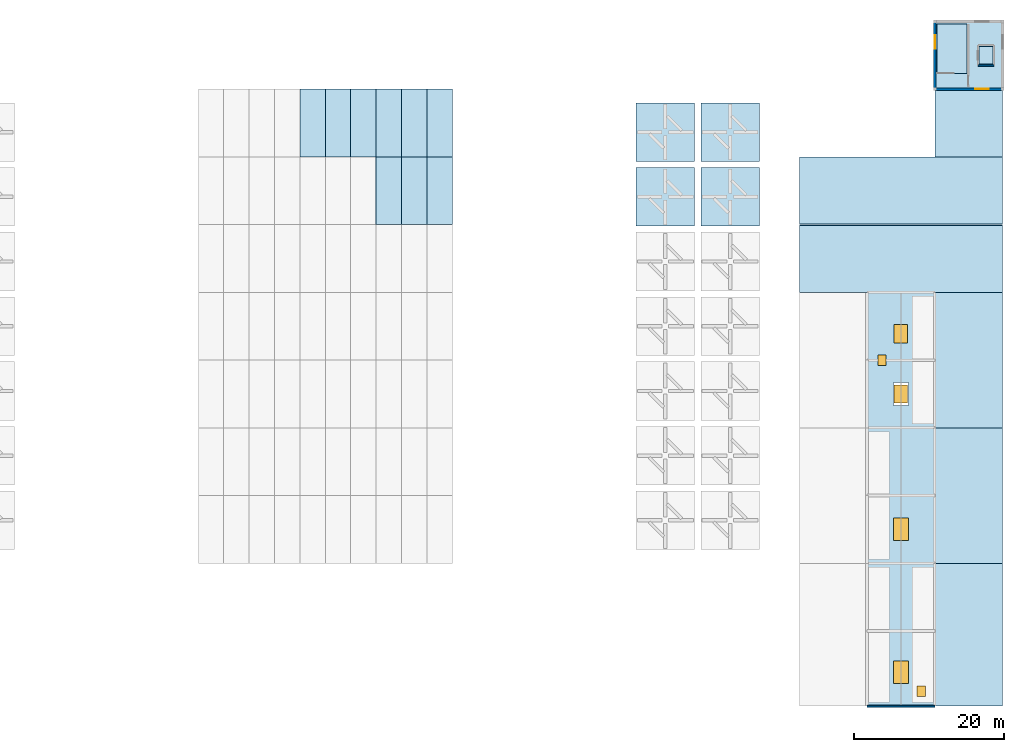
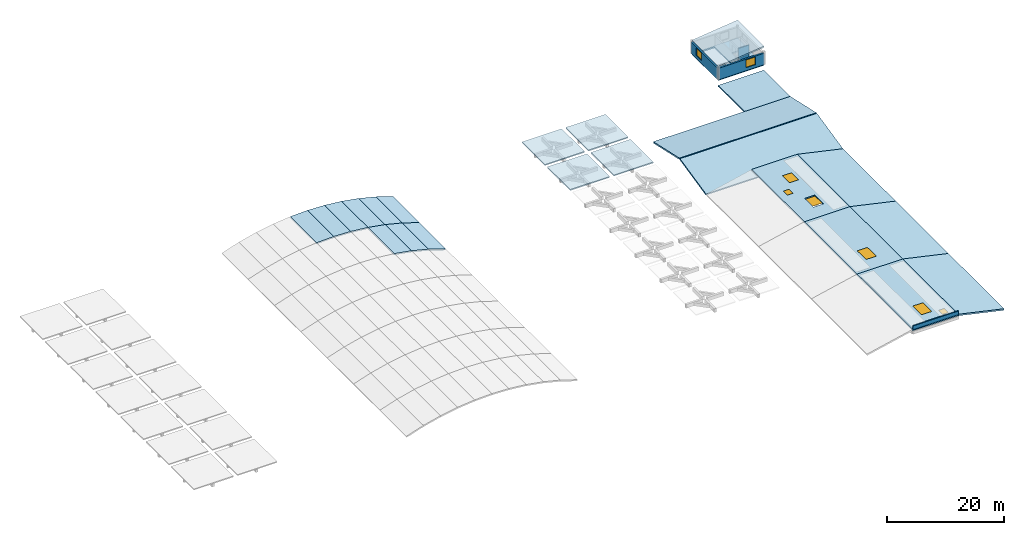
# One storey, part 5 of 7: 24 slabs, 6 windows, 4 walls, 2 doors, 8 openings.
"""IFC4 building model written with IfcOpenShell, lengths in metres."""

from ifc_helpers import new_model, si_unit, direction, frame, frame_2d, origin, origin_2d, place, context, subcontext, project, spatial, polyline, rectangle, outline, extrude, material, layer, layer_set, type_object, element, fill, save


model = new_model("IFC4")

# Units and contexts
model_context = context("Model", 3, precision=1e-05, world=origin(), true_north=direction((0.0, 1.0)))
body_context = subcontext(model_context, "Body", "Model", "MODEL_VIEW")
ifc_project = project(units=[si_unit("LENGTHUNIT", "METRE"), si_unit("AREAUNIT", "SQUARE_METRE"), si_unit("VOLUMEUNIT", "CUBIC_METRE"), si_unit("PLANEANGLEUNIT", "RADIAN"), si_unit("MASSUNIT", "GRAM", prefix="KILO")], contexts=[model_context])

# Site, building, storey
site_placement = place(None, origin())
site = spatial("IfcSite", under=ifc_project, at=site_placement, CompositionType="ELEMENT")
building_placement = place(site_placement, origin())
building = spatial("IfcBuilding", under=site, at=building_placement, Name="Ornek Quay Market", CompositionType="ELEMENT")
storey_placement = place(building_placement, frame((0.0, 0.0, 16.64990234375)))
storey = spatial("IfcBuildingStorey", under=building, at=storey_placement, Name="ROOF", CompositionType="ELEMENT", Elevation=16.64990234375)

# Slab
ifc_material_1 = material(Name="Concrete C35/45", Category="concrete")
ifc_layer_1 = layer(ifc_material_1, 0.280029296875, Name="Concrete C35/45", Category="concrete")
ifc_layer_set_1 = layer_set([ifc_layer_1], Name="Concrete C35/45")
slab_type_1 = type_object("IfcSlabType", Name="SL-FLR-WING-280", PredefinedType="FLOOR", material=ifc_layer_set_1)
slab_1_placement = place(storey_placement, frame((0.0, 0.0, -0.27978515625)))
element("IfcSlab", 1, at=slab_1_placement, inside=storey, type_object=slab_type_1, Name="Slab S-070 (ROOF)", PredefinedType="FLOOR", context=body_context, shape_type="SweptSolid", body=[
    extrude(outline(polyline([(171.0, 92.0), (180.0, 92.0), (180.0, 101.0), (171.0, 101.0), (171.0, 92.0)]), holes=[polyline([(178.719970703125, 97.669921875), (178.719970703125, 95.330078125), (176.8798828125, 95.330078125), (176.8798828125, 97.669921875), (178.719970703125, 97.669921875)]), polyline([(175.300048828125, 100.699951171875), (175.300048828125, 94.10009765625), (171.300048828125, 94.10009765625), (171.300048828125, 100.699951171875), (175.300048828125, 100.699951171875)])]), origin(), (0.0, 0.0, 1.0), 0.27978515625),
])

# Slab, openings, door, window
ifc_layer_2 = layer(ifc_material_1, 0.320068359375, Name="Concrete C35/45", Category="concrete")
ifc_layer_set_2 = layer_set([ifc_layer_2], Name="Concrete C35/45")
slab_type_2 = type_object("IfcSlabType", Name="SL-RF-CS-320", PredefinedType="ROOF", material=ifc_layer_set_2)
slab_2_placement = place(storey_placement, frame((0.0, 0.0, 0.43017578125)))
slab_2 = element("IfcSlab", 2, at=slab_2_placement, inside=storey, type_object=slab_type_2, Name="Slab S-073 (ROOF)", PredefinedType="ROOF", context=body_context, shape_type="SweptSolid", body=[
    extrude(outline(polyline([(162.0, 10.0), (171.0, 10.0), (171.0, 29.0), (162.0, 29.0), (162.0, 10.0)]), holes=[polyline([(165.5, 16.0), (167.5, 16.0), (167.5, 13.0), (165.5, 13.0), (165.5, 16.0)]), polyline([(168.64990234375, 11.300048828125), (169.75, 11.300048828125), (169.75, 12.699951171875), (168.64990234375, 12.699951171875), (168.64990234375, 11.300048828125)])]), origin(), (0.0, 0.0, 1.0), 0.31982421875),
])
opening_1_placement = place(slab_2_placement, frame((166.5, 14.5, -0.010009765625)))
opening_1 = element("IfcOpeningElement", 3, at=opening_1_placement, cuts=slab_2, Name="Opening SK-02-09", PredefinedType="OPENING", context=body_context, shape_type="SweptSolid", body=[
    extrude(rectangle(XDim=2.0, YDim=3.0, at=origin_2d()), origin(), (0.0, 0.0, 1.0), 0.33984375),
])
opening_2_placement = place(slab_2_placement, frame((169.199951171875, 12.0, -0.010009765625)))
opening_2 = element("IfcOpeningElement", 4, at=opening_2_placement, cuts=slab_2, Name="Opening RH-06", PredefinedType="OPENING", context=body_context, shape_type="SweptSolid", body=[
    extrude(rectangle(XDim=1.10009765625, YDim=1.39990234375, at=origin_2d()), origin(), (0.0, 0.0, 1.0), 0.33984375),
])
ifc_material_2 = material(Name="Thermally broken aluminium roof access hatch", Category="aluminium")
door_type = type_object("IfcDoorType", Name="DR-HATCH-ROOF-1100x1400", OperationType="SINGLE_SWING_LEFT", PredefinedType="TRAPDOOR", material=ifc_material_2)
door_1_placement = place(opening_2_placement, frame((0.0, 0.0, 0.27978515625)))
door_1 = element("IfcDoor", 5, at=door_1_placement, inside=storey, type_object=door_type, Name="Roof access hatch RH-06", OperationType="SINGLE_SWING_LEFT", OverallHeight=1.39990234375, OverallWidth=1.10009765625, PredefinedType="TRAPDOOR", context=body_context, shape_type="SweptSolid", body=[
    extrude(rectangle(XDim=1.10009765625, YDim=1.39990234375, at=origin_2d()), origin(), (0.0, 0.0, 1.0), 0.050048828125),
])
fill(opening_2, door_1)
ifc_material_3 = material(Name="Thermally broken bronze aluminium and triple low-e glass", Category="aluminium")
window_type_1 = type_object("IfcWindowType", Name="WN-SKY-2000x3000", PartitioningType="SINGLE_PANEL", PredefinedType="SKYLIGHT", material=ifc_material_3)
window_1_placement = place(opening_1_placement, frame((0.0, 0.0, 0.27978515625)))
window_1 = element("IfcWindow", 6, at=window_1_placement, inside=storey, type_object=window_type_1, Name="Roof skylight SK-02-09", OverallHeight=3.0, OverallWidth=2.0, PartitioningType="SINGLE_PANEL", PredefinedType="SKYLIGHT", context=body_context, shape_type="SweptSolid", body=[
    extrude(rectangle(XDim=2.0, YDim=3.0, at=origin_2d()), origin(), (0.0, 0.0, 1.0), 0.050048828125),
])
fill(opening_1, window_1)

# Slab
slab_3_placement = place(storey_placement, frame((171.0, 10.0, 0.75), z_axis=(0.216930457819, 0.0, 0.976187060184), x_axis=(0.976187060184, 0.0, -0.216930457819)))
element("IfcSlab", 7, at=slab_3_placement, inside=storey, type_object=slab_type_2, Name="Sloped roof slab S-074 (ROOF)", PredefinedType="ROOF", context=body_context, shape_type="SweptSolid", body=[
    extrude(outline(polyline([(0.0, 0.0), (9.219544457292889, 0.0), (9.219544457292889, 19.0), (0.0, 19.0), (0.0, 0.0)])), origin(), (0.0, 0.0, -1.0), 0.320068359375),
])

# Slab, opening, window
slab_4_placement = place(storey_placement, frame((0.0, 0.0, 0.43017578125)))
slab_4 = element("IfcSlab", 8, at=slab_4_placement, inside=storey, type_object=slab_type_2, Name="Slab S-076 (ROOF)", PredefinedType="ROOF", context=body_context, shape_type="SweptSolid", body=[
    extrude(outline(polyline([(162.0, 29.0), (171.0, 29.0), (171.0, 47.0), (162.0, 47.0), (162.0, 29.0)]), holes=[polyline([(165.5, 35.0), (167.5, 35.0), (167.5, 32.0), (165.5, 32.0), (165.5, 35.0)])]), origin(), (0.0, 0.0, 1.0), 0.31982421875),
])
opening_3_placement = place(slab_4_placement, frame((166.5, 33.5, -0.010009765625)))
opening_3 = element("IfcOpeningElement", 9, at=opening_3_placement, cuts=slab_4, Name="Opening SK-02-10", PredefinedType="OPENING", context=body_context, shape_type="SweptSolid", body=[
    extrude(rectangle(XDim=2.0, YDim=3.0, at=origin_2d()), origin(), (0.0, 0.0, 1.0), 0.33984375),
])
window_2_placement = place(opening_3_placement, frame((0.0, 0.0, 0.27978515625)))
window_2 = element("IfcWindow", 10, at=window_2_placement, inside=storey, type_object=window_type_1, Name="Roof skylight SK-02-10", OverallHeight=3.0, OverallWidth=2.0, PartitioningType="SINGLE_PANEL", PredefinedType="SKYLIGHT", context=body_context, shape_type="SweptSolid", body=[
    extrude(rectangle(XDim=2.0, YDim=3.0, at=origin_2d()), origin(), (0.0, 0.0, 1.0), 0.050048828125),
])
fill(opening_3, window_2)

# Slab
slab_5_placement = place(storey_placement, frame((171.0, 29.0, 0.75), z_axis=(0.216930457819, 0.0, 0.976187060184), x_axis=(0.976187060184, 0.0, -0.216930457819)))
element("IfcSlab", 11, at=slab_5_placement, inside=storey, type_object=slab_type_2, Name="Sloped roof slab S-077 (ROOF)", PredefinedType="ROOF", context=body_context, shape_type="SweptSolid", body=[
    extrude(outline(polyline([(0.0, 0.0), (9.219544457292889, 0.0), (9.219544457292889, 18.000000000000004), (0.0, 18.000000000000004), (0.0, 0.0)])), origin(), (0.0, 0.0, -1.0), 0.320068359375),
])

# Slab, openings, door, windows
slab_6_placement = place(storey_placement, frame((0.0, 0.0, 0.43017578125)))
slab_6 = element("IfcSlab", 12, at=slab_6_placement, inside=storey, type_object=slab_type_2, Name="Slab S-079 (ROOF)", PredefinedType="ROOF", context=body_context, shape_type="SweptSolid", body=[
    extrude(outline(polyline([(162.0, 47.0), (171.0, 47.0), (171.0, 65.0), (162.0, 65.0), (162.0, 47.0)]), holes=[polyline([(165.5, 53.0), (167.5, 53.0), (167.5, 50.0), (165.5, 50.0), (165.5, 53.0)]), polyline([(165.60009765625, 58.300048828125), (167.39990234375, 58.300048828125), (167.39990234375, 60.699951171875), (165.60009765625, 60.699951171875), (165.60009765625, 58.300048828125)]), polyline([(163.449951171875, 55.300048828125), (164.550048828125, 55.300048828125), (164.550048828125, 56.699951171875), (163.449951171875, 56.699951171875), (163.449951171875, 55.300048828125)])]), origin(), (0.0, 0.0, 1.0), 0.31982421875),
])
opening_4_placement = place(slab_6_placement, frame((166.5, 51.5, -0.010009765625)))
opening_4 = element("IfcOpeningElement", 13, at=opening_4_placement, cuts=slab_6, Name="Opening SK-03-11", PredefinedType="OPENING", context=body_context, shape_type="SweptSolid", body=[
    extrude(rectangle(XDim=1.800048828125, YDim=2.39990234375, at=origin_2d()), origin(), (0.0, 0.0, 1.0), 0.33984375),
])
opening_5_placement = place(slab_6_placement, frame((166.5, 59.5, -0.010009765625)))
opening_5 = element("IfcOpeningElement", 14, at=opening_5_placement, cuts=slab_6, Name="Opening SK-03-12", PredefinedType="OPENING", context=body_context, shape_type="SweptSolid", body=[
    extrude(rectangle(XDim=1.800048828125, YDim=2.39990234375, at=origin_2d()), origin(), (0.0, 0.0, 1.0), 0.33984375),
])
opening_6_placement = place(slab_6_placement, frame((164.0, 56.0, -0.010009765625)))
opening_6 = element("IfcOpeningElement", 15, at=opening_6_placement, cuts=slab_6, Name="Opening RH-05", PredefinedType="OPENING", context=body_context, shape_type="SweptSolid", body=[
    extrude(rectangle(XDim=1.10009765625, YDim=1.39990234375, at=origin_2d()), origin(), (0.0, 0.0, 1.0), 0.33984375),
])
door_2_placement = place(opening_6_placement, frame((0.0, 0.0, 0.27978515625)))
door_2 = element("IfcDoor", 16, at=door_2_placement, inside=storey, type_object=door_type, Name="Roof access hatch RH-05", OperationType="SINGLE_SWING_LEFT", OverallHeight=1.39990234375, OverallWidth=1.10009765625, PredefinedType="TRAPDOOR", context=body_context, shape_type="SweptSolid", body=[
    extrude(rectangle(XDim=1.10009765625, YDim=1.39990234375, at=origin_2d()), origin(), (0.0, 0.0, 1.0), 0.050048828125),
])
fill(opening_6, door_2)
window_type_2 = type_object("IfcWindowType", Name="WN-SKY-1800x2400", PartitioningType="SINGLE_PANEL", PredefinedType="SKYLIGHT", material=ifc_material_3)
window_3_placement = place(opening_4_placement, frame((0.0, 0.0, 0.27978515625)))
window_3 = element("IfcWindow", 17, at=window_3_placement, inside=storey, type_object=window_type_2, Name="Roof skylight SK-03-11", OverallHeight=2.39990234375, OverallWidth=1.800048828125, PartitioningType="SINGLE_PANEL", PredefinedType="SKYLIGHT", context=body_context, shape_type="SweptSolid", body=[
    extrude(rectangle(XDim=1.800048828125, YDim=2.39990234375, at=origin_2d()), origin(), (0.0, 0.0, 1.0), 0.050048828125),
])
fill(opening_4, window_3)
window_4_placement = place(opening_5_placement, frame((0.0, 0.0, 0.27978515625)))
window_4 = element("IfcWindow", 18, at=window_4_placement, inside=storey, type_object=window_type_2, Name="Roof skylight SK-03-12", OverallHeight=2.39990234375, OverallWidth=1.800048828125, PartitioningType="SINGLE_PANEL", PredefinedType="SKYLIGHT", context=body_context, shape_type="SweptSolid", body=[
    extrude(rectangle(XDim=1.800048828125, YDim=2.39990234375, at=origin_2d()), origin(), (0.0, 0.0, 1.0), 0.050048828125),
])
fill(opening_5, window_4)

# Slabs
slab_7_placement = place(storey_placement, frame((171.0, 47.0, 0.75), z_axis=(0.216930457819, 0.0, 0.976187060184), x_axis=(0.976187060184, 0.0, -0.216930457819)))
element("IfcSlab", 19, at=slab_7_placement, inside=storey, type_object=slab_type_2, Name="Sloped roof slab S-080 (ROOF)", PredefinedType="ROOF", context=body_context, shape_type="SweptSolid", body=[
    extrude(outline(polyline([(0.0, 0.0), (9.219544457292889, 0.0), (9.219544457292889, 18.000000000000004), (0.0, 18.000000000000004), (0.0, 0.0)])), origin(), (0.0, 0.0, -1.0), 0.320068359375),
])
ifc_layer_3 = layer(ifc_material_1, 0.300048828125, Name="Concrete C35/45", Category="concrete")
ifc_layer_set_3 = layer_set([ifc_layer_3], Name="Concrete C35/45")
slab_type_3 = type_object("IfcSlabType", Name="SL-RF-FC-300", PredefinedType="ROOF", material=ifc_layer_set_3)
slab_8_placement = place(storey_placement, frame((0.0, 0.0, -1.5498046875)))
element("IfcSlab", 20, at=slab_8_placement, inside=storey, type_object=slab_type_3, Name="Slab S-065 (ROOF)", PredefinedType="ROOF", context=body_context, shape_type="SweptSolid", body=[
    extrude(outline(polyline([(171.0, 83.0), (180.0, 83.0), (180.0, 92.0), (171.0, 92.0), (171.0, 83.0)])), origin(), (0.0, 0.0, 1.0), 0.2998046875),
])
for number, where, z_axis, x_axis, name in (
    (21, (153.0, 65.0, -1.25), (0.0, -0.217162940606, 0.97613536829), (1.0, 0.0, 0.0), "Sloped roof slab S-068 (ROOF)"),
    (22, (153.0, 74.10009765625, 0.72998046875), (0.0, 0.217162940606, 0.97613536829), (1.0, 0.0, 0.0), "Sloped roof slab S-069 (ROOF)"),
):
    element("IfcSlab", number, at=place(storey_placement, frame(where, z_axis=z_axis, x_axis=x_axis)), inside=storey, type_object=slab_type_3, Name=name, PredefinedType="ROOF", context=body_context, shape_type="SweptSolid", body=[
        extrude(outline(polyline([(0.0, 0.0), (27.0, 0.0), (27.0, 9.117487833000833), (0.0, 9.117487833000833), (0.0, 0.0)])), origin(), (0.0, 0.0, -1.0), 0.300048828125),
    ])
slab_9_placement = place(storey_placement, frame((171.0, 92.0, 2.7001953125), z_axis=(-0.115859433741, 0.0, 0.993265619869), x_axis=(0.993265619869, 0.0, 0.115859433741)))
element("IfcSlab", 23, at=slab_9_placement, inside=storey, type_object=slab_type_3, Name="Sloped roof slab S-071 (ROOF)", PredefinedType="ROOF", context=body_context, shape_type="SweptSolid", body=[
    extrude(outline(polyline([(0.0, 0.0), (9.06102035545098, 0.0), (9.06102035545098, 9.000000000000002), (0.0, 9.000000000000002), (0.0, 0.0)])), origin(), (0.0, 0.0, -1.0), 0.300048828125),
])
ifc_material_4 = material(Name="Concrete C40/50", Category="concrete")
ifc_layer_4 = layer(ifc_material_4, 0.219970703125, Name="Concrete C40/50", Category="concrete")
ifc_layer_set_4 = layer_set([ifc_layer_4], Name="Concrete C40/50")
slab_type_4 = type_object("IfcSlabType", Name="SL-UMB-CANOPY-220", PredefinedType="ROOF", material=ifc_layer_set_4)
slab_10_placement = place(storey_placement, frame((0.0, 0.0, 1.72998046875)))
element("IfcSlab", 24, at=slab_10_placement, inside=storey, type_object=slab_type_4, Name="Concrete umbrella canopy UMB-E06", PredefinedType="ROOF", context=body_context, shape_type="SweptSolid", body=[
    extrude(outline(polyline([(131.300048828125, 73.800048828125), (139.10009765625, 73.800048828125), (139.10009765625, 81.60009765625), (131.300048828125, 81.60009765625), (131.300048828125, 73.800048828125)])), origin(), (0.0, 0.0, 1.0), 0.22021484375),
])
slab_11_placement = place(storey_placement, frame((0.0, 0.0, 1.72998046875)))
element("IfcSlab", 25, at=slab_11_placement, inside=storey, type_object=slab_type_4, Name="Concrete umbrella canopy UMB-E07", PredefinedType="ROOF", context=body_context, shape_type="SweptSolid", body=[
    extrude(outline(polyline([(131.300048828125, 82.39990234375), (139.10009765625, 82.39990234375), (139.10009765625, 90.199951171875), (131.300048828125, 90.199951171875), (131.300048828125, 82.39990234375)])), origin(), (0.0, 0.0, 1.0), 0.22021484375),
])
slab_12_placement = place(storey_placement, frame((0.0, 0.0, 1.72998046875)))
element("IfcSlab", 26, at=slab_12_placement, inside=storey, type_object=slab_type_4, Name="Concrete umbrella canopy UMB-E13", PredefinedType="ROOF", context=body_context, shape_type="SweptSolid", body=[
    extrude(outline(polyline([(139.89990234375, 73.800048828125), (147.699951171875, 73.800048828125), (147.699951171875, 81.60009765625), (139.89990234375, 81.60009765625), (139.89990234375, 73.800048828125)])), origin(), (0.0, 0.0, 1.0), 0.22021484375),
])
slab_13_placement = place(storey_placement, frame((0.0, 0.0, 1.72998046875)))
element("IfcSlab", 27, at=slab_13_placement, inside=storey, type_object=slab_type_4, Name="Concrete umbrella canopy UMB-E14", PredefinedType="ROOF", context=body_context, shape_type="SweptSolid", body=[
    extrude(outline(polyline([(139.89990234375, 82.39990234375), (147.699951171875, 82.39990234375), (147.699951171875, 90.199951171875), (139.89990234375, 90.199951171875), (139.89990234375, 82.39990234375)])), origin(), (0.0, 0.0, 1.0), 0.22021484375),
])
ifc_material_5 = material(Name="Concrete C45/55", Category="concrete")
ifc_layer_5 = layer(ifc_material_5, 0.2900390625, Name="Concrete C45/55", Category="concrete")
ifc_layer_set_5 = layer_set([ifc_layer_5], Name="Concrete C45/55")
slab_type_5 = type_object("IfcSlabType", Name="SL-VLT-SHELL-290", PredefinedType="ROOF", material=ifc_layer_set_5)
slab_14_placement = place(storey_placement, frame((96.75, 74.0, 0.573486328125), z_axis=(0.172159077901, 0.0, 0.985069160971), x_axis=(0.985069160971, 0.0, -0.172159077901)))
element("IfcSlab", 28, at=slab_14_placement, inside=storey, type_object=slab_type_5, Name="Sloped roof slab S-171 (ROOF)", PredefinedType="ROOF", context=body_context, shape_type="SweptSolid", body=[
    extrude(outline(polyline([(0.0, 0.0), (3.4261553743830806, 0.0), (3.4261553743830806, 9.0), (0.0, 9.0), (0.0, 0.0)])), origin(), (0.0, 0.0, -1.0), 0.2900390625),
])
slab_15_placement = place(storey_placement, frame((100.125, 74.0, -0.016357421875), z_axis=(0.240949455139, 0.0, 0.970537665456), x_axis=(0.970537665456, 0.0, -0.240949455139)))
element("IfcSlab", 29, at=slab_15_placement, inside=storey, type_object=slab_type_5, Name="Sloped roof slab S-172 (ROOF)", PredefinedType="ROOF", context=body_context, shape_type="SweptSolid", body=[
    extrude(outline(polyline([(0.0, 0.0), (3.4774539104728466, 0.0), (3.4774539104728466, 9.000000000000002), (0.0, 9.000000000000002), (0.0, 0.0)])), origin(), (0.0, 0.0, -1.0), 0.2900390625),
])
slab_16_placement = place(storey_placement, frame((103.5, 74.0, -0.854248046875), z_axis=(0.309844903611, 0.0, 0.950787113767), x_axis=(0.950787113767, 0.0, -0.309844903611)))
element("IfcSlab", 30, at=slab_16_placement, inside=storey, type_object=slab_type_5, Name="Sloped roof slab S-173 (ROOF)", PredefinedType="ROOF", context=body_context, shape_type="SweptSolid", body=[
    extrude(outline(polyline([(0.0, 0.0), (3.5496905155002842, 0.0), (3.5496905155002842, 9.000000000000002), (0.0, 9.000000000000002), (0.0, 0.0)])), origin(), (0.0, 0.0, -1.0), 0.2900390625),
])
for number, where, z_axis, x_axis, name in (
    (31, (86.625, 83.0, 0.923828125), (-0.034412476309, 0.0, 0.999407715337), (0.999407715337, 0.0, 0.034412476309), "Sloped roof slab S-184 (ROOF)"),
    (32, (90.0, 83.0, 1.0400390625), (0.034412476309, 0.0, 0.999407715337), (0.999407715337, 0.0, -0.034412476309), "Sloped roof slab S-185 (ROOF)"),
):
    element("IfcSlab", number, at=place(storey_placement, frame(where, z_axis=z_axis, x_axis=x_axis)), inside=storey, type_object=slab_type_5, Name=name, PredefinedType="ROOF", context=body_context, shape_type="SweptSolid", body=[
        extrude(outline(polyline([(0.0, 0.0), (3.377000145394523, 0.0), (3.377000145394523, 9.0), (0.0, 9.0), (0.0, 0.0)])), origin(), (0.0, 0.0, -1.0), 0.2900390625),
    ])
slab_17_placement = place(storey_placement, frame((93.375, 83.0, 0.923828125), z_axis=(0.103250182601, 0.0, 0.994655417616), x_axis=(0.994655417616, 0.0, -0.103250182601)))
element("IfcSlab", 33, at=slab_17_placement, inside=storey, type_object=slab_type_5, Name="Sloped roof slab S-186 (ROOF)", PredefinedType="ROOF", context=body_context, shape_type="SweptSolid", body=[
    extrude(outline(polyline([(0.0, 0.0), (3.3931348889541075, 0.0), (3.3931348889541075, 9.0), (0.0, 9.0), (0.0, 0.0)])), origin(), (0.0, 0.0, -1.0), 0.2900390625),
])
slab_18_placement = place(storey_placement, frame((96.75, 83.0, 0.573486328125), z_axis=(0.172159077901, 0.0, 0.985069160971), x_axis=(0.985069160971, 0.0, -0.172159077901)))
element("IfcSlab", 34, at=slab_18_placement, inside=storey, type_object=slab_type_5, Name="Sloped roof slab S-187 (ROOF)", PredefinedType="ROOF", context=body_context, shape_type="SweptSolid", body=[
    extrude(outline(polyline([(0.0, 0.0), (3.4261553743830806, 0.0), (3.4261553743830806, 9.0), (0.0, 9.0), (0.0, 0.0)])), origin(), (0.0, 0.0, -1.0), 0.2900390625),
])
slab_19_placement = place(storey_placement, frame((100.125, 83.0, -0.016357421875), z_axis=(0.240949455139, 0.0, 0.970537665456), x_axis=(0.970537665456, 0.0, -0.240949455139)))
element("IfcSlab", 35, at=slab_19_placement, inside=storey, type_object=slab_type_5, Name="Sloped roof slab S-188 (ROOF)", PredefinedType="ROOF", context=body_context, shape_type="SweptSolid", body=[
    extrude(outline(polyline([(0.0, 0.0), (3.4774539104728466, 0.0), (3.4774539104728466, 9.000000000000002), (0.0, 9.000000000000002), (0.0, 0.0)])), origin(), (0.0, 0.0, -1.0), 0.2900390625),
])
slab_20_placement = place(storey_placement, frame((103.5, 83.0, -0.854248046875), z_axis=(0.309844903611, 0.0, 0.950787113767), x_axis=(0.950787113767, 0.0, -0.309844903611)))
element("IfcSlab", 36, at=slab_20_placement, inside=storey, type_object=slab_type_5, Name="Sloped roof slab S-189 (ROOF)", PredefinedType="ROOF", context=body_context, shape_type="SweptSolid", body=[
    extrude(outline(polyline([(0.0, 0.0), (3.5496905155002842, 0.0), (3.5496905155002842, 9.000000000000002), (0.0, 9.000000000000002), (0.0, 0.0)])), origin(), (0.0, 0.0, -1.0), 0.2900390625),
])

# Wall, opening, window
ifc_material_6 = material(Name="Frost-resistant facing clay brick M200 F100", Category="masonry")
ifc_layer_6 = layer(ifc_material_6, 0.360107421875, Name="Frost-resistant facing clay brick M200 F100", Category="masonry")
ifc_layer_set_6 = layer_set([ifc_layer_6], Name="Frost-resistant facing clay brick M200 F100")
wall_type_1 = type_object("IfcWallType", Name="WL-EXT-FC-360", PredefinedType="STANDARD", material=ifc_layer_set_6)
wall_1_placement = place(storey_placement, frame((171.0, 92.0, 0.0), z_axis=(0.0, 0.0, 1.0), x_axis=(1.0, 0.0, 0.0)))
wall_1 = element("IfcWall", 37, at=wall_1_placement, inside=storey, type_object=wall_type_1, Name="Exterior wall EW-182", PredefinedType="STANDARD", context=body_context, shape_type="SweptSolid", body=[
    extrude(rectangle(XDim=9.0, YDim=0.360107421875, at=frame_2d((4.5, 0.0))), origin(), (0.0, 0.0, 1.0), 2.400146484375),
])
opening_7_placement = place(wall_1_placement, frame((5.39990234375, 0.0, 0.6201171875)))
opening_7 = element("IfcOpeningElement", 38, at=opening_7_placement, cuts=wall_1, Name="Opening W-15-150", PredefinedType="OPENING", context=body_context, shape_type="SweptSolid", body=[
    extrude(rectangle(XDim=1.800048828125, YDim=1.60009765625, at=frame_2d((0.89990234375, 0.800048828125))), frame((0.0, 0.18994140625, 0.0), z_axis=(0.0, -1.0, 0.0), x_axis=(1.0, 0.0, 0.0)), (0.0, 0.0, 1.0), 0.380126953125),
])
window_type_3 = type_object("IfcWindowType", Name="WN-OFF-1800x1600", PartitioningType="DOUBLE_PANEL_VERTICAL", PredefinedType="WINDOW", material=ifc_material_3)
window_5_placement = place(opening_7_placement, origin())
window_5 = element("IfcWindow", 39, at=window_5_placement, inside=storey, type_object=window_type_3, Name="Window W-15-150", OverallHeight=1.60009765625, OverallWidth=1.800048828125, PartitioningType="SINGLE_PANEL", PredefinedType="WINDOW", context=body_context, shape_type="SweptSolid", body=[
    extrude(rectangle(XDim=1.800048828125, YDim=1.60009765625, at=frame_2d((0.89990234375, 0.800048828125))), frame((0.0, 0.030029296875, 0.0), z_axis=(0.0, -1.0, 0.0), x_axis=(1.0, 0.0, 0.0)), (0.0, 0.0, 1.0), 0.06005859375),
])
fill(opening_7, window_5)

wall_2_placement = place(storey_placement, frame((171.0, 92.0, 0.0), z_axis=(0.0, 0.0, 1.0), x_axis=(0.0, 1.0, 0.0)))
wall_2 = element("IfcWall", 40, at=wall_2_placement, inside=storey, type_object=wall_type_1, Name="Exterior wall EW-184", PredefinedType="STANDARD", context=body_context, shape_type="SweptSolid", body=[
    extrude(rectangle(XDim=9.0, YDim=0.360107421875, at=frame_2d((4.5, 0.0))), origin(), (0.0, 0.0, 1.0), 2.400146484375),
])
opening_8_placement = place(wall_2_placement, frame((5.39990234375, 0.0, 0.6201171875)))
opening_8 = element("IfcOpeningElement", 41, at=opening_8_placement, cuts=wall_2, Name="Opening W-15-152", PredefinedType="OPENING", context=body_context, shape_type="SweptSolid", body=[
    extrude(rectangle(XDim=1.800048828125, YDim=1.60009765625, at=frame_2d((0.89990234375, 0.800048828125))), frame((0.0, 0.18994140625, 0.0), z_axis=(0.0, -1.0, 0.0), x_axis=(1.0, 0.0, 0.0)), (0.0, 0.0, 1.0), 0.380126953125),
])
window_6_placement = place(opening_8_placement, origin())
window_6 = element("IfcWindow", 42, at=window_6_placement, inside=storey, type_object=window_type_3, Name="Window W-15-152", OverallHeight=1.60009765625, OverallWidth=1.800048828125, PartitioningType="SINGLE_PANEL", PredefinedType="WINDOW", context=body_context, shape_type="SweptSolid", body=[
    extrude(rectangle(XDim=1.800048828125, YDim=1.60009765625, at=frame_2d((0.89990234375, 0.800048828125))), frame((0.0, 0.030029296875, 0.0), z_axis=(0.0, -1.0, 0.0), x_axis=(1.0, 0.0, 0.0)), (0.0, 0.0, 1.0), 0.06005859375),
])
fill(opening_8, window_6)

# Walls
ifc_material_7 = material(Name="Precast concrete C40/50", Category="concrete")
ifc_layer_7 = layer(ifc_material_7, 0.2099609375, Name="Precast concrete C40/50", Category="concrete")
ifc_layer_set_7 = layer_set([ifc_layer_7], Name="Precast concrete C40/50")
wall_type_2 = type_object("IfcWallType", Name="WL-PAR-210", PredefinedType="PARAPET", material=ifc_layer_set_7)
wall_3_placement = place(storey_placement, frame((162.0, 10.0, 0.75), z_axis=(0.0, 0.0, 1.0), x_axis=(1.0, 0.0, 0.0)))
element("IfcWall", 43, at=wall_3_placement, inside=storey, type_object=wall_type_2, Name="Roof parapet PR-06", PredefinedType="PARAPET", context=body_context, shape_type="SweptSolid", body=[
    extrude(rectangle(XDim=9.0, YDim=0.2099609375, at=frame_2d((4.5, 0.0))), origin(), (0.0, 0.0, 1.0), 0.75),
])
ifc_layer_8 = layer(ifc_material_1, 0.199951171875, Name="Concrete C35/45", Category="concrete")
ifc_layer_set_8 = layer_set([ifc_layer_8], Name="Concrete C35/45")
wall_type_3 = type_object("IfcWallType", Name="WL-SHAFT-200", PredefinedType="SOLIDWALL", material=ifc_layer_set_8)
wall_4_placement = place(storey_placement, frame((176.760009765625, 95.1298828125, 0.0), z_axis=(0.0, 0.0, 1.0), x_axis=(1.0, 0.0, 0.0)))
element("IfcWall", 44, at=wall_4_placement, inside=storey, type_object=wall_type_3, Name="Interior wall W-CORE3-154", PredefinedType="SOLIDWALL", context=body_context, shape_type="SweptSolid", body=[
    extrude(rectangle(XDim=2.080078125, YDim=0.199951171875, at=frame_2d((1.0400390625, 0.0))), origin(), (0.0, 0.0, 1.0), 2.550048828125),
])

save(model, "model.ifc")
